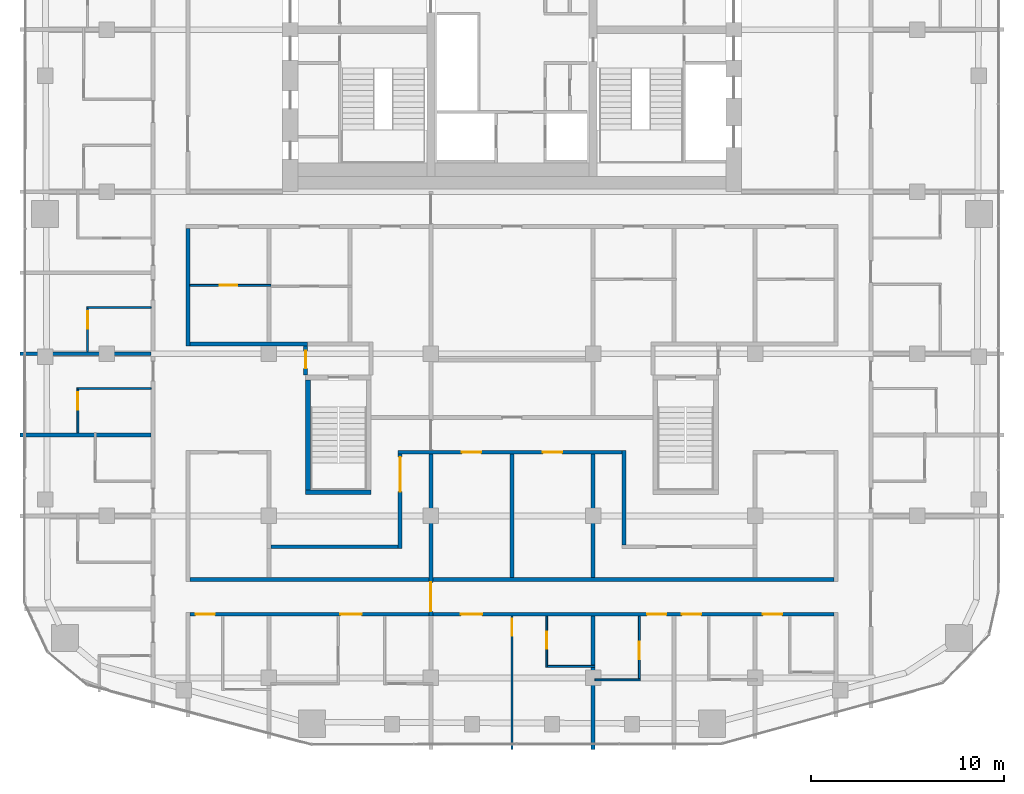
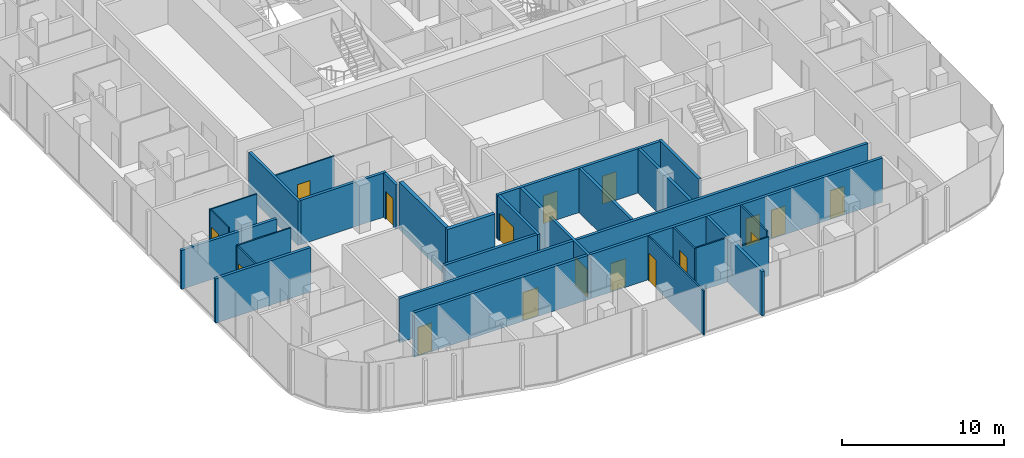
# One storey, part 14 of 22: 27 walls, 17 doors, 17 openings.
"""IFC4 building model written with IfcOpenShell, lengths in metres."""

from ifc_helpers import new_model, si_unit, direction, frame, frame_2d, origin, place, context, subcontext, project, spatial, rectangle, extrude, material, layer, layer_set, type_object, element, fill, save


model = new_model("IFC4")

# Units and contexts
model_context = context("Model", 3, precision=1e-05, world=origin(), true_north=direction((0.0, 1.0)))
body_context = subcontext(model_context, "Body", "Model", "MODEL_VIEW")
ifc_project = project(units=[si_unit("LENGTHUNIT", "METRE"), si_unit("AREAUNIT", "SQUARE_METRE"), si_unit("VOLUMEUNIT", "CUBIC_METRE"), si_unit("PLANEANGLEUNIT", "RADIAN"), si_unit("MASSUNIT", "GRAM", prefix="KILO")], contexts=[model_context])

# Site, building, storey
site_placement = place(None, origin())
site = spatial("IfcSite", under=ifc_project, at=site_placement, CompositionType="ELEMENT")
building_placement = place(site_placement, origin())
building = spatial("IfcBuilding", under=site, at=building_placement, Name="Marenta Gate Hotel Tower", CompositionType="ELEMENT")
storey_placement = place(building_placement, frame((0.0, 0.0, 223.699951171875)))
storey = spatial("IfcBuildingStorey", under=building, at=storey_placement, Name="L52", CompositionType="ELEMENT", Elevation=223.699951171875)

# Wall, opening, door
ifc_material_1 = material(Name="Concrete blockwork", Category="masonry")
ifc_layer_1 = layer(ifc_material_1, 0.199951171875)
ifc_layer_set_1 = layer_set([ifc_layer_1], Name="Concrete blockwork")
wall_type_1 = type_object("IfcWallType", Name="Compartment wall 200 REI 180", PredefinedType="PARTITIONING", material=ifc_layer_set_1)
wall_1_placement = place(storey_placement, frame((-4.199951171875, -22.0, 0.0), z_axis=(0.0, 0.0, 1.0), x_axis=(0.0, 1.0, 0.0)))
wall_1 = element("IfcWall", 1, at=wall_1_placement, inside=storey, type_object=wall_type_1, Name="L52-PTN-W081", PredefinedType="PARTITIONING", context=body_context, shape_type="SweptSolid", body=[
    extrude(rectangle(XDim=8.39990234375, YDim=0.199951171875, at=frame_2d((4.199951171875, 0.0))), origin(), (0.0, 0.0, 1.0), 3.340087890625),
])
opening_1_placement = place(wall_1_placement, frame((0.25, 0.0, 0.0)))
opening_1 = element("IfcOpeningElement", 2, at=opening_1_placement, cuts=wall_1, Name="Opening G19-FD4", PredefinedType="OPENING", context=body_context, shape_type="SweptSolid", body=[
    extrude(rectangle(XDim=1.5, YDim=2.10009765625, at=frame_2d((0.75, 1.050048828125))), frame((0.0, 0.10009765625, 0.0), z_axis=(0.0, -1.0, 0.0), x_axis=(1.0, 0.0, 0.0)), (0.0, 0.0, 1.0), 0.199951171875),
])
ifc_material_2 = material(Name="Hollow steel door set", Category="steel")
door_type_1 = type_object("IfcDoorType", Name="Compartment fire door 1500x2100 EI 60", OperationType="DOUBLE_DOOR_DOUBLE_SWING", PredefinedType="DOOR", material=ifc_material_2)
door_1_placement = place(opening_1_placement, origin())
door_1 = element("IfcDoor", 3, at=door_1_placement, inside=storey, type_object=door_type_1, Name="L52-PD-FD04", OperationType="DOUBLE_DOOR_DOUBLE_SWING", OverallHeight=2.10009765625, OverallWidth=1.5, PredefinedType="DOOR", context=body_context, shape_type="SweptSolid", body=[
    extrude(rectangle(XDim=1.5, YDim=2.10009765625, at=frame_2d((0.75, 1.050048828125))), frame((0.0, 0.02490234375, 0.0), z_axis=(0.0, -1.0, 0.0), x_axis=(1.0, 0.0, 0.0)), (0.0, 0.0, 1.0), 0.050048828125),
])
fill(opening_1, door_1)

# Walls
ifc_material_3 = material(Name="Concrete C40", Category="concrete")
ifc_layer_2 = layer(ifc_material_3, 0.25)
ifc_layer_set_2 = layer_set([ifc_layer_2], Name="Concrete C40")
wall_type_2 = type_object("IfcWallType", Name="Remote stair enclosure wall 250 REI 180", PredefinedType="SHEAR", material=ifc_layer_set_2)
wall_2_placement = place(storey_placement, frame((-10.699951171875, -15.574951171875, 0.10009765625), z_axis=(0.0, 0.0, 1.0), x_axis=(1.0, 0.0, 0.0)))
element("IfcWall", 4, at=wall_2_placement, inside=storey, type_object=wall_type_2, Name="L52-RS-Z3-1-W1", PredefinedType="SHEAR", context=body_context, shape_type="SweptSolid", body=[
    extrude(rectangle(XDim=3.39990234375, YDim=0.25, at=frame_2d((1.699951171875, 0.0))), origin(), (0.0, 0.0, 1.0), 3.599853515625),
])
wall_3_placement = place(storey_placement, frame((-10.574951171875, -15.449951171875, 0.10009765625), z_axis=(0.0, 0.0, 1.0), x_axis=(0.0, 1.0, 0.0)))
element("IfcWall", 5, at=wall_3_placement, inside=storey, type_object=wall_type_2, Name="L52-RS-Z3-1-W3", PredefinedType="SHEAR", context=body_context, shape_type="SweptSolid", body=[
    extrude(rectangle(XDim=5.699951171875, YDim=0.25, at=frame_2d((2.85009765625, 0.0))), origin(), (0.0, 0.0, 1.0), 3.599853515625),
])
ifc_material_4 = material(Name="Concrete blockwork", Category="masonry")
ifc_layer_3 = layer(ifc_material_4, 0.199951171875)
ifc_layer_set_3 = layer_set([ifc_layer_3], Name="Concrete blockwork")
wall_type_3 = type_object("IfcWallType", Name="Room corridor wall 200 EI 120", PredefinedType="PARTITIONING", material=ifc_layer_set_3)
wall_4_placement = place(storey_placement, frame((-16.699951171875, -7.89990234375, 0.0), z_axis=(0.0, 0.0, 1.0), x_axis=(1.0, 0.0, 0.0)))
element("IfcWall", 6, at=wall_4_placement, inside=storey, type_object=wall_type_3, Name="L52-PTN-W053", PredefinedType="PARTITIONING", context=body_context, shape_type="SweptSolid", body=[
    extrude(rectangle(XDim=6.099853515625, YDim=0.199951171875, at=frame_2d((3.0498046875, 0.0))), origin(), (0.0, 0.0, 1.0), 3.340087890625),
])

# Wall, openings, doors
ifc_material_5 = material(Name="Gypsum board on steel stud", Category="steel")
ifc_layer_4 = layer(ifc_material_5, 0.199951171875)
ifc_layer_set_4 = layer_set([ifc_layer_4], Name="Gypsum board on steel stud")
wall_type_4 = type_object("IfcWallType", Name="Room corridor wall 200 EI 60", PredefinedType="PARTITIONING", material=ifc_layer_set_4)
wall_5_placement = place(storey_placement, frame((-16.699951171875, -21.89990234375, 0.0), z_axis=(0.0, 0.0, 1.0), x_axis=(1.0, 0.0, 0.0)))
wall_5 = element("IfcWall", 7, at=wall_5_placement, inside=storey, type_object=wall_type_4, Name="L52-PTN-W015", PredefinedType="PARTITIONING", context=body_context, shape_type="SweptSolid", body=[
    extrude(rectangle(XDim=33.39990234375, YDim=0.199951171875, at=frame_2d((16.699951171875, 0.0))), origin(), (0.0, 0.0, 1.0), 3.340087890625),
])
opening_2_placement = place(wall_5_placement, frame((0.300048828125, 0.0, 0.0)))
opening_2 = element("IfcOpeningElement", 8, at=opening_2_placement, cuts=wall_5, Name="Opening G19-36", PredefinedType="OPENING", context=body_context, shape_type="SweptSolid", body=[
    extrude(rectangle(XDim=1.0, YDim=2.10009765625, at=frame_2d((0.5, 1.050048828125))), frame((0.0, 0.10009765625, 0.0), z_axis=(0.0, -1.0, 0.0), x_axis=(1.0, 0.0, 0.0)), (0.0, 0.0, 1.0), 0.199951171875),
])
opening_3_placement = place(wall_5_placement, frame((7.800048828125, 0.0, 0.0)))
opening_3 = element("IfcOpeningElement", 9, at=opening_3_placement, cuts=wall_5, Name="Opening G19-38", PredefinedType="OPENING", context=body_context, shape_type="SweptSolid", body=[
    extrude(rectangle(XDim=1.10009765625, YDim=2.10009765625, at=frame_2d((0.550048828125, 1.050048828125))), frame((0.0, 0.10009765625, 0.0), z_axis=(0.0, -1.0, 0.0), x_axis=(1.0, 0.0, 0.0)), (0.0, 0.0, 1.0), 0.199951171875),
])
opening_4_placement = place(wall_5_placement, frame((14.050048828125, 0.0, 0.0)))
opening_4 = element("IfcOpeningElement", 10, at=opening_4_placement, cuts=wall_5, Name="Opening G19-41", PredefinedType="OPENING", context=body_context, shape_type="SweptSolid", body=[
    extrude(rectangle(XDim=1.10009765625, YDim=2.10009765625, at=frame_2d((0.550048828125, 1.050048828125))), frame((0.0, 0.10009765625, 0.0), z_axis=(0.0, -1.0, 0.0), x_axis=(1.0, 0.0, 0.0)), (0.0, 0.0, 1.0), 0.199951171875),
])
opening_5_placement = place(wall_5_placement, frame((23.699951171875, 0.0, 0.0)))
opening_5 = element("IfcOpeningElement", 11, at=opening_5_placement, cuts=wall_5, Name="Opening G19-44", PredefinedType="OPENING", context=body_context, shape_type="SweptSolid", body=[
    extrude(rectangle(XDim=1.0, YDim=2.10009765625, at=frame_2d((0.5, 1.050048828125))), frame((0.0, 0.10009765625, 0.0), z_axis=(0.0, -1.0, 0.0), x_axis=(1.0, 0.0, 0.0)), (0.0, 0.0, 1.0), 0.199951171875),
])
opening_6_placement = place(wall_5_placement, frame((25.5, 0.0, 0.0)))
opening_6 = element("IfcOpeningElement", 12, at=opening_6_placement, cuts=wall_5, Name="Opening G19-46", PredefinedType="OPENING", context=body_context, shape_type="SweptSolid", body=[
    extrude(rectangle(XDim=1.0, YDim=2.10009765625, at=frame_2d((0.5, 1.050048828125))), frame((0.0, 0.10009765625, 0.0), z_axis=(0.0, -1.0, 0.0), x_axis=(1.0, 0.0, 0.0)), (0.0, 0.0, 1.0), 0.199951171875),
])
opening_7_placement = place(wall_5_placement, frame((29.699951171875, 0.0, 0.0)))
opening_7 = element("IfcOpeningElement", 13, at=opening_7_placement, cuts=wall_5, Name="Opening G19-48", PredefinedType="OPENING", context=body_context, shape_type="SweptSolid", body=[
    extrude(rectangle(XDim=1.0, YDim=2.10009765625, at=frame_2d((0.5, 1.050048828125))), frame((0.0, 0.10009765625, 0.0), z_axis=(0.0, -1.0, 0.0), x_axis=(1.0, 0.0, 0.0)), (0.0, 0.0, 1.0), 0.199951171875),
])
ifc_material_6 = material(Name="Timber door leaf", Category="wood")
door_type_2 = type_object("IfcDoorType", Name="Guest room door 1000x2100 EI 30", OperationType="NOTDEFINED", PredefinedType="DOOR", material=ifc_material_6)
door_2_placement = place(opening_2_placement, origin())
door_2 = element("IfcDoor", 14, at=door_2_placement, inside=storey, type_object=door_type_2, Name="L52-PD-D036", OperationType="SINGLE_SWING_RIGHT", OverallHeight=2.10009765625, OverallWidth=1.0, PredefinedType="DOOR", context=body_context, shape_type="SweptSolid", body=[
    extrude(rectangle(XDim=1.0, YDim=2.10009765625, at=frame_2d((0.5, 1.050048828125))), frame((0.0, 0.02490234375, 0.0), z_axis=(0.0, -1.0, 0.0), x_axis=(1.0, 0.0, 0.0)), (0.0, 0.0, 1.0), 0.050048828125),
])
fill(opening_2, door_2)
door_3_placement = place(opening_5_placement, origin())
door_3 = element("IfcDoor", 15, at=door_3_placement, inside=storey, type_object=door_type_2, Name="L52-PD-D044", OperationType="SINGLE_SWING_RIGHT", OverallHeight=2.10009765625, OverallWidth=1.0, PredefinedType="DOOR", context=body_context, shape_type="SweptSolid", body=[
    extrude(rectangle(XDim=1.0, YDim=2.10009765625, at=frame_2d((0.5, 1.050048828125))), frame((0.0, 0.02490234375, 0.0), z_axis=(0.0, -1.0, 0.0), x_axis=(1.0, 0.0, 0.0)), (0.0, 0.0, 1.0), 0.050048828125),
])
fill(opening_5, door_3)
door_4_placement = place(opening_6_placement, origin())
door_4 = element("IfcDoor", 16, at=door_4_placement, inside=storey, type_object=door_type_2, Name="L52-PD-D046", OperationType="SINGLE_SWING_RIGHT", OverallHeight=2.10009765625, OverallWidth=1.0, PredefinedType="DOOR", context=body_context, shape_type="SweptSolid", body=[
    extrude(rectangle(XDim=1.0, YDim=2.10009765625, at=frame_2d((0.5, 1.050048828125))), frame((0.0, 0.02490234375, 0.0), z_axis=(0.0, -1.0, 0.0), x_axis=(1.0, 0.0, 0.0)), (0.0, 0.0, 1.0), 0.050048828125),
])
fill(opening_6, door_4)
door_5_placement = place(opening_7_placement, origin())
door_5 = element("IfcDoor", 17, at=door_5_placement, inside=storey, type_object=door_type_2, Name="L52-PD-D048", OperationType="SINGLE_SWING_RIGHT", OverallHeight=2.10009765625, OverallWidth=1.0, PredefinedType="DOOR", context=body_context, shape_type="SweptSolid", body=[
    extrude(rectangle(XDim=1.0, YDim=2.10009765625, at=frame_2d((0.5, 1.050048828125))), frame((0.0, 0.02490234375, 0.0), z_axis=(0.0, -1.0, 0.0), x_axis=(1.0, 0.0, 0.0)), (0.0, 0.0, 1.0), 0.050048828125),
])
fill(opening_7, door_5)
ifc_material_7 = material(Name="Timber door leaf", Category="wood")
door_type_3 = type_object("IfcDoorType", Name="Guest room door 1100x2100 EI 30", OperationType="NOTDEFINED", PredefinedType="DOOR", material=ifc_material_7)
door_6_placement = place(opening_3_placement, origin())
door_6 = element("IfcDoor", 18, at=door_6_placement, inside=storey, type_object=door_type_3, Name="L52-PD-D038", OperationType="SINGLE_SWING_RIGHT", OverallHeight=2.10009765625, OverallWidth=1.10009765625, PredefinedType="DOOR", context=body_context, shape_type="SweptSolid", body=[
    extrude(rectangle(XDim=1.10009765625, YDim=2.10009765625, at=frame_2d((0.550048828125, 1.050048828125))), frame((0.0, 0.02490234375, 0.0), z_axis=(0.0, -1.0, 0.0), x_axis=(1.0, 0.0, 0.0)), (0.0, 0.0, 1.0), 0.050048828125),
])
fill(opening_3, door_6)
door_7_placement = place(opening_4_placement, origin())
door_7 = element("IfcDoor", 19, at=door_7_placement, inside=storey, type_object=door_type_3, Name="L52-PD-D041", OperationType="SINGLE_SWING_LEFT", OverallHeight=2.10009765625, OverallWidth=1.10009765625, PredefinedType="DOOR", context=body_context, shape_type="SweptSolid", body=[
    extrude(rectangle(XDim=1.10009765625, YDim=2.10009765625, at=frame_2d((0.550048828125, 1.050048828125))), frame((0.0, 0.02490234375, 0.0), z_axis=(0.0, -1.0, 0.0), x_axis=(1.0, 0.0, 0.0)), (0.0, 0.0, 1.0), 0.050048828125),
])
fill(opening_4, door_7)

# Walls
wall_6_placement = place(storey_placement, frame((-16.699951171875, -20.10009765625, 0.0), z_axis=(0.0, 0.0, 1.0), x_axis=(1.0, 0.0, 0.0)))
element("IfcWall", 20, at=wall_6_placement, inside=storey, type_object=wall_type_4, Name="L52-PTN-W019", PredefinedType="PARTITIONING", context=body_context, shape_type="SweptSolid", body=[
    extrude(rectangle(XDim=33.39990234375, YDim=0.199951171875, at=frame_2d((16.699951171875, 0.0))), origin(), (0.0, 0.0, 1.0), 3.340087890625),
])
wall_7_placement = place(storey_placement, frame((-12.5, -18.39990234375, 0.0), z_axis=(0.0, 0.0, 1.0), x_axis=(1.0, 0.0, 0.0)))
element("IfcWall", 21, at=wall_7_placement, inside=storey, type_object=wall_type_4, Name="L52-PTN-W022", PredefinedType="PARTITIONING", context=body_context, shape_type="SweptSolid", body=[
    extrude(rectangle(XDim=6.60009765625, YDim=0.199951171875, at=frame_2d((3.300048828125, 0.0))), origin(), (0.0, 0.0, 1.0), 3.340087890625),
])

# Wall, openings, doors
wall_8_placement = place(storey_placement, frame((-5.89990234375, -13.5, 0.0), z_axis=(0.0, 0.0, 1.0), x_axis=(1.0, 0.0, 0.0)))
wall_8 = element("IfcWall", 22, at=wall_8_placement, inside=storey, type_object=wall_type_4, Name="L52-PTN-W034", PredefinedType="PARTITIONING", context=body_context, shape_type="SweptSolid", body=[
    extrude(rectangle(XDim=11.599853515625, YDim=0.199951171875, at=frame_2d((5.7998046875, 0.0))), origin(), (0.0, 0.0, 1.0), 3.340087890625),
])
opening_8_placement = place(wall_8_placement, frame((3.300048828125, 0.0, 0.0)))
opening_8 = element("IfcOpeningElement", 23, at=opening_8_placement, cuts=wall_8, Name="Opening G19-13", PredefinedType="OPENING", context=body_context, shape_type="SweptSolid", body=[
    extrude(rectangle(XDim=1.0, YDim=2.10009765625, at=frame_2d((0.5, 1.050048828125))), frame((0.0, 0.10009765625, 0.0), z_axis=(0.0, -1.0, 0.0), x_axis=(1.0, 0.0, 0.0)), (0.0, 0.0, 1.0), 0.199951171875),
])
opening_9_placement = place(wall_8_placement, frame((7.5, 0.0, 0.0)))
opening_9 = element("IfcOpeningElement", 24, at=opening_9_placement, cuts=wall_8, Name="Opening G19-14", PredefinedType="OPENING", context=body_context, shape_type="SweptSolid", body=[
    extrude(rectangle(XDim=1.0, YDim=2.10009765625, at=frame_2d((0.5, 1.050048828125))), frame((0.0, 0.10009765625, 0.0), z_axis=(0.0, -1.0, 0.0), x_axis=(1.0, 0.0, 0.0)), (0.0, 0.0, 1.0), 0.199951171875),
])
ifc_material_8 = material(Name="Timber door leaf", Category="wood")
door_type_4 = type_object("IfcDoorType", Name="Room amenity door 1000x2100 EI 30", OperationType="NOTDEFINED", PredefinedType="DOOR", material=ifc_material_8)
door_8_placement = place(opening_8_placement, origin())
door_8 = element("IfcDoor", 25, at=door_8_placement, inside=storey, type_object=door_type_4, Name="L52-PD-D013", OperationType="SINGLE_SWING_LEFT", OverallHeight=2.10009765625, OverallWidth=1.0, PredefinedType="DOOR", context=body_context, shape_type="SweptSolid", body=[
    extrude(rectangle(XDim=1.0, YDim=2.10009765625, at=frame_2d((0.5, 1.050048828125))), frame((0.0, 0.02490234375, 0.0), z_axis=(0.0, -1.0, 0.0), x_axis=(1.0, 0.0, 0.0)), (0.0, 0.0, 1.0), 0.050048828125),
])
fill(opening_8, door_8)
door_9_placement = place(opening_9_placement, origin())
door_9 = element("IfcDoor", 26, at=door_9_placement, inside=storey, type_object=door_type_4, Name="L52-PD-D014", OperationType="SINGLE_SWING_RIGHT", OverallHeight=2.10009765625, OverallWidth=1.0, PredefinedType="DOOR", context=body_context, shape_type="SweptSolid", body=[
    extrude(rectangle(XDim=1.0, YDim=2.10009765625, at=frame_2d((0.5, 1.050048828125))), frame((0.0, 0.02490234375, 0.0), z_axis=(0.0, -1.0, 0.0), x_axis=(1.0, 0.0, 0.0)), (0.0, 0.0, 1.0), 0.050048828125),
])
fill(opening_9, door_9)

# Wall
wall_9_placement = place(storey_placement, frame((5.800048828125, -18.300048828125, 0.0), z_axis=(0.0, 0.0, 1.0), x_axis=(0.0, 1.0, 0.0)))
element("IfcWall", 27, at=wall_9_placement, inside=storey, type_object=wall_type_4, Name="L52-PTN-W060", PredefinedType="PARTITIONING", context=body_context, shape_type="SweptSolid", body=[
    extrude(rectangle(XDim=4.900146484375, YDim=0.199951171875, at=frame_2d((2.4501953125, 0.0))), origin(), (0.0, 0.0, 1.0), 3.340087890625),
])

# Wall, opening, door
wall_10_placement = place(storey_placement, frame((-5.800048828125, -18.5, 0.0), z_axis=(0.0, 0.0, 1.0), x_axis=(0.0, 1.0, 0.0)))
wall_10 = element("IfcWall", 28, at=wall_10_placement, inside=storey, type_object=wall_type_4, Name="L52-PTN-W085", PredefinedType="PARTITIONING", context=body_context, shape_type="SweptSolid", body=[
    extrude(rectangle(XDim=4.89990234375, YDim=0.199951171875, at=frame_2d((2.449951171875, 0.0))), origin(), (0.0, 0.0, 1.0), 3.340087890625),
])
opening_10_placement = place(wall_10_placement, frame((2.949951171875, 0.0, 0.0)))
opening_10 = element("IfcOpeningElement", 29, at=opening_10_placement, cuts=wall_10, Name="Opening G19-12", PredefinedType="OPENING", context=body_context, shape_type="SweptSolid", body=[
    extrude(rectangle(XDim=1.800048828125, YDim=2.10009765625, at=frame_2d((0.89990234375, 1.050048828125))), frame((0.0, 0.10009765625, 0.0), z_axis=(0.0, -1.0, 0.0), x_axis=(1.0, 0.0, 0.0)), (0.0, 0.0, 1.0), 0.199951171875),
])
ifc_material_9 = material(Name="Timber door leaf", Category="wood")
door_type_5 = type_object("IfcDoorType", Name="Room amenity door 1800x2100 EI 30", OperationType="DOUBLE_DOOR_SINGLE_SWING", PredefinedType="DOOR", material=ifc_material_9)
door_10_placement = place(opening_10_placement, origin())
door_10 = element("IfcDoor", 30, at=door_10_placement, inside=storey, type_object=door_type_5, Name="L52-PD-D012", OperationType="DOUBLE_DOOR_SINGLE_SWING", OverallHeight=2.10009765625, OverallWidth=1.800048828125, PredefinedType="DOOR", context=body_context, shape_type="SweptSolid", body=[
    extrude(rectangle(XDim=1.800048828125, YDim=2.10009765625, at=frame_2d((0.89990234375, 1.050048828125))), frame((0.0, 0.02490234375, 0.0), z_axis=(0.0, -1.0, 0.0), x_axis=(1.0, 0.0, 0.0)), (0.0, 0.0, 1.0), 0.050048828125),
])
fill(opening_10, door_10)

# Wall
wall_11_placement = place(storey_placement, frame((-16.800048828125, -8.0, 0.0), z_axis=(0.0, 0.0, 1.0), x_axis=(0.0, 1.0, 0.0)))
element("IfcWall", 31, at=wall_11_placement, inside=storey, type_object=wall_type_4, Name="L52-PTN-W106", PredefinedType="PARTITIONING", context=body_context, shape_type="SweptSolid", body=[
    extrude(rectangle(XDim=6.10009765625, YDim=0.199951171875, at=frame_2d((3.050048828125, 0.0))), origin(), (0.0, 0.0, 1.0), 3.340087890625),
])

# Wall, opening, door
ifc_material_10 = material(Name="Concrete blockwork", Category="masonry")
ifc_layer_5 = layer(ifc_material_10, 0.199951171875)
ifc_layer_set_5 = layer_set([ifc_layer_5], Name="Concrete blockwork")
wall_type_5 = type_object("IfcWallType", Name="Room corridor wall 200 REI 180", PredefinedType="PARTITIONING", material=ifc_layer_set_5)
wall_12_placement = place(storey_placement, frame((-10.699951171875, -9.5, 0.0), z_axis=(0.0, 0.0, 1.0), x_axis=(0.0, 1.0, 0.0)))
wall_12 = element("IfcWall", 32, at=wall_12_placement, inside=storey, type_object=wall_type_5, Name="L52-PTN-W092", PredefinedType="PARTITIONING", context=body_context, shape_type="SweptSolid", body=[
    extrude(rectangle(XDim=1.5, YDim=0.199951171875, at=frame_2d((0.75, 0.0))), origin(), (0.0, 0.0, 1.0), 3.340087890625),
])
opening_11_placement = place(wall_12_placement, frame((0.35009765625, 0.0, 0.0)))
opening_11 = element("IfcOpeningElement", 33, at=opening_11_placement, cuts=wall_12, Name="Opening G19-71", PredefinedType="OPENING", context=body_context, shape_type="SweptSolid", body=[
    extrude(rectangle(XDim=0.89990234375, YDim=2.10009765625, at=frame_2d((0.449951171875, 1.050048828125))), frame((0.0, 0.10009765625, 0.0), z_axis=(0.0, -1.0, 0.0), x_axis=(1.0, 0.0, 0.0)), (0.0, 0.0, 1.0), 0.199951171875),
])
ifc_material_11 = material(Name="Hollow steel door set", Category="steel")
door_type_6 = type_object("IfcDoorType", Name="Stair vestibule door 900x2100 EI 60", OperationType="NOTDEFINED", PredefinedType="DOOR", material=ifc_material_11)
door_11_placement = place(opening_11_placement, origin())
door_11 = element("IfcDoor", 34, at=door_11_placement, inside=storey, type_object=door_type_6, Name="L52-PD-D071", OperationType="SINGLE_SWING_LEFT", OverallHeight=2.10009765625, OverallWidth=0.89990234375, PredefinedType="DOOR", context=body_context, shape_type="SweptSolid", body=[
    extrude(rectangle(XDim=0.89990234375, YDim=2.10009765625, at=frame_2d((0.449951171875, 1.050048828125))), frame((0.0, 0.02490234375, 0.0), z_axis=(0.0, -1.0, 0.0), x_axis=(1.0, 0.0, 0.0)), (0.0, 0.0, 1.0), 0.050048828125),
])
fill(opening_11, door_11)

# Walls
ifc_material_12 = material(Name="Gypsum board on steel stud", Category="steel")
ifc_layer_6 = layer(ifc_material_12, 0.10009765625)
ifc_layer_set_6 = layer_set([ifc_layer_6], Name="Gypsum board on steel stud")
wall_type_6 = type_object("IfcWallType", Name="Room partition 100", PredefinedType="PARTITIONING", material=ifc_layer_set_6)
wall_13_placement = place(storey_placement, frame((4.300048828125, -25.300048828125, 0.0), z_axis=(0.0, 0.0, 1.0), x_axis=(1.0, 0.0, 0.0)))
element("IfcWall", 35, at=wall_13_placement, inside=storey, type_object=wall_type_6, Name="L52-PTN-W005", PredefinedType="PARTITIONING", context=body_context, shape_type="SweptSolid", body=[
    extrude(rectangle(XDim=2.349853515625, YDim=0.10009765625, at=frame_2d((1.1748046875, 0.0))), origin(), (0.0, 0.0, 1.0), 2.93994140625),
])
wall_14_placement = place(storey_placement, frame((1.85009765625, -24.60009765625, 0.0), z_axis=(0.0, 0.0, 1.0), x_axis=(1.0, 0.0, 0.0)))
element("IfcWall", 36, at=wall_14_placement, inside=storey, type_object=wall_type_6, Name="L52-PTN-W008", PredefinedType="PARTITIONING", context=body_context, shape_type="SweptSolid", body=[
    extrude(rectangle(XDim=2.449951171875, YDim=0.10009765625, at=frame_2d((1.22509765625, 0.0))), origin(), (0.0, 0.0, 1.0), 3.340087890625),
])
wall_15_placement = place(storey_placement, frame((-22.550048828125, -10.199951171875, 0.0), z_axis=(0.0, 0.0, 1.0), x_axis=(1.0, 0.0, 0.0)))
element("IfcWall", 37, at=wall_15_placement, inside=storey, type_object=wall_type_6, Name="L52-PTN-W046", PredefinedType="PARTITIONING", context=body_context, shape_type="SweptSolid", body=[
    extrude(rectangle(XDim=3.85009765625, YDim=0.10009765625, at=frame_2d((1.925048828125, 0.0))), origin(), (0.0, 0.0, 1.0), 3.340087890625),
])

# Wall, opening, door
wall_16_placement = place(storey_placement, frame((6.60009765625, -25.25, 0.0), z_axis=(0.0, 0.0, 1.0), x_axis=(0.0, 1.0, 0.0)))
wall_16 = element("IfcWall", 38, at=wall_16_placement, inside=storey, type_object=wall_type_6, Name="L52-PTN-W058", PredefinedType="PARTITIONING", context=body_context, shape_type="SweptSolid", body=[
    extrude(rectangle(XDim=3.25, YDim=0.10009765625, at=frame_2d((1.625, 0.0))), origin(), (0.0, 0.0, 1.0), 3.340087890625),
])
opening_12_placement = place(wall_16_placement, frame((1.030029296875, 0.0, 0.0)))
opening_12 = element("IfcOpeningElement", 39, at=opening_12_placement, cuts=wall_16, Name="Opening G19-45", PredefinedType="OPENING", context=body_context, shape_type="SweptSolid", body=[
    extrude(rectangle(XDim=0.89990234375, YDim=2.10009765625, at=frame_2d((0.449951171875, 1.050048828125))), frame((0.0, 0.050048828125, 0.0), z_axis=(0.0, -1.0, 0.0), x_axis=(1.0, 0.0, 0.0)), (0.0, 0.0, 1.0), 0.10009765625),
])
ifc_material_13 = material(Name="Timber door leaf", Category="wood")
door_type_7 = type_object("IfcDoorType", Name="Guest bathroom door 900x2100", OperationType="NOTDEFINED", PredefinedType="DOOR", material=ifc_material_13)
door_12_placement = place(opening_12_placement, origin())
door_12 = element("IfcDoor", 40, at=door_12_placement, inside=storey, type_object=door_type_7, Name="L52-PD-D045", OperationType="SINGLE_SWING_LEFT", OverallHeight=2.10009765625, OverallWidth=0.89990234375, PredefinedType="DOOR", context=body_context, shape_type="SweptSolid", body=[
    extrude(rectangle(XDim=0.89990234375, YDim=2.10009765625, at=frame_2d((0.449951171875, 1.050048828125))), frame((0.0, 0.02490234375, 0.0), z_axis=(0.0, -1.0, 0.0), x_axis=(1.0, 0.0, 0.0)), (0.0, 0.0, 1.0), 0.050048828125),
])
fill(opening_12, door_12)

# Wall
wall_17_placement = place(storey_placement, frame((-22.050048828125, -6.0, 0.0), z_axis=(0.0, 0.0, 1.0), x_axis=(1.0, 0.0, 0.0)))
element("IfcWall", 41, at=wall_17_placement, inside=storey, type_object=wall_type_6, Name="L52-PTN-W059", PredefinedType="PARTITIONING", context=body_context, shape_type="SweptSolid", body=[
    extrude(rectangle(XDim=3.35009765625, YDim=0.10009765625, at=frame_2d((1.675048828125, 0.0))), origin(), (0.0, 0.0, 1.0), 3.340087890625),
])

# Wall, opening, door
wall_18_placement = place(storey_placement, frame((-16.699951171875, -4.85009765625, 0.0), z_axis=(0.0, 0.0, 1.0), x_axis=(1.0, 0.0, 0.0)))
wall_18 = element("IfcWall", 42, at=wall_18_placement, inside=storey, type_object=wall_type_6, Name="L52-PTN-W062", PredefinedType="PARTITIONING", context=body_context, shape_type="SweptSolid", body=[
    extrude(rectangle(XDim=4.199951171875, YDim=0.10009765625, at=frame_2d((2.10009765625, 0.0))), origin(), (0.0, 0.0, 1.0), 3.340087890625),
])
opening_13_placement = place(wall_18_placement, frame((1.550048828125, 0.0, 0.0)))
opening_13 = element("IfcOpeningElement", 43, at=opening_13_placement, cuts=wall_18, Name="Opening G19-02", PredefinedType="OPENING", context=body_context, shape_type="SweptSolid", body=[
    extrude(rectangle(XDim=0.89990234375, YDim=2.10009765625, at=frame_2d((0.449951171875, 1.050048828125))), frame((0.0, 0.050048828125, 0.0), z_axis=(0.0, -1.0, 0.0), x_axis=(1.0, 0.0, 0.0)), (0.0, 0.0, 1.0), 0.10009765625),
])
ifc_material_14 = material(Name="Timber door leaf", Category="wood")
door_type_8 = type_object("IfcDoorType", Name="Room inner door 900x2100", OperationType="NOTDEFINED", PredefinedType="DOOR", material=ifc_material_14)
door_13_placement = place(opening_13_placement, origin())
door_13 = element("IfcDoor", 44, at=door_13_placement, inside=storey, type_object=door_type_8, Name="L52-PD-D002", OperationType="SINGLE_SWING_RIGHT", OverallHeight=2.10009765625, OverallWidth=0.89990234375, PredefinedType="DOOR", context=body_context, shape_type="SweptSolid", body=[
    extrude(rectangle(XDim=0.89990234375, YDim=2.10009765625, at=frame_2d((0.449951171875, 1.050048828125))), frame((0.0, 0.02490234375, 0.0), z_axis=(0.0, -1.0, 0.0), x_axis=(1.0, 0.0, 0.0)), (0.0, 0.0, 1.0), 0.050048828125),
])
fill(opening_13, door_13)

wall_19_placement = place(storey_placement, frame((1.800048828125, -24.64990234375, 0.0), z_axis=(0.0, 0.0, 1.0), x_axis=(0.0, 1.0, 0.0)))
wall_19 = element("IfcWall", 45, at=wall_19_placement, inside=storey, type_object=wall_type_6, Name="L52-PTN-W073", PredefinedType="PARTITIONING", context=body_context, shape_type="SweptSolid", body=[
    extrude(rectangle(XDim=2.64990234375, YDim=0.10009765625, at=frame_2d((1.324951171875, 0.0))), origin(), (0.0, 0.0, 1.0), 3.340087890625),
])
opening_14_placement = place(wall_19_placement, frame((0.949951171875, 0.0, 0.0)))
opening_14 = element("IfcOpeningElement", 46, at=opening_14_placement, cuts=wall_19, Name="Opening G19-43", PredefinedType="OPENING", context=body_context, shape_type="SweptSolid", body=[
    extrude(rectangle(XDim=0.89990234375, YDim=2.10009765625, at=frame_2d((0.449951171875, 1.050048828125))), frame((0.0, 0.050048828125, 0.0), z_axis=(0.0, -1.0, 0.0), x_axis=(1.0, 0.0, 0.0)), (0.0, 0.0, 1.0), 0.10009765625),
])
door_14_placement = place(opening_14_placement, origin())
door_14 = element("IfcDoor", 47, at=door_14_placement, inside=storey, type_object=door_type_7, Name="L52-PD-D043", OperationType="SINGLE_SWING_LEFT", OverallHeight=2.10009765625, OverallWidth=0.89990234375, PredefinedType="DOOR", context=body_context, shape_type="SweptSolid", body=[
    extrude(rectangle(XDim=0.89990234375, YDim=2.10009765625, at=frame_2d((0.449951171875, 1.050048828125))), frame((0.0, 0.02490234375, 0.0), z_axis=(0.0, -1.0, 0.0), x_axis=(1.0, 0.0, 0.0)), (0.0, 0.0, 1.0), 0.050048828125),
])
fill(opening_14, door_14)

wall_20_placement = place(storey_placement, frame((0.0, -28.89990234375, 0.0), z_axis=(0.0, 0.0, 1.0), x_axis=(0.0, 1.0, 0.0)))
wall_20 = element("IfcWall", 48, at=wall_20_placement, inside=storey, type_object=wall_type_6, Name="L52-PTN-W075", PredefinedType="PARTITIONING", context=body_context, shape_type="SweptSolid", body=[
    extrude(rectangle(XDim=6.89990234375, YDim=0.10009765625, at=frame_2d((3.449951171875, 0.0))), origin(), (0.0, 0.0, 1.0), 3.340087890625),
])
opening_15_placement = place(wall_20_placement, frame((5.8798828125, 0.0, 0.0)))
opening_15 = element("IfcOpeningElement", 49, at=opening_15_placement, cuts=wall_20, Name="Opening G19-42", PredefinedType="OPENING", context=body_context, shape_type="SweptSolid", body=[
    extrude(rectangle(XDim=0.89990234375, YDim=2.10009765625, at=frame_2d((0.449951171875, 1.050048828125))), frame((0.0, 0.050048828125, 0.0), z_axis=(0.0, -1.0, 0.0), x_axis=(1.0, 0.0, 0.0)), (0.0, 0.0, 1.0), 0.10009765625),
])
door_15_placement = place(opening_15_placement, origin())
door_15 = element("IfcDoor", 50, at=door_15_placement, inside=storey, type_object=door_type_8, Name="L52-PD-D042", OperationType="SINGLE_SWING_LEFT", OverallHeight=2.10009765625, OverallWidth=0.89990234375, PredefinedType="DOOR", context=body_context, shape_type="SweptSolid", body=[
    extrude(rectangle(XDim=0.89990234375, YDim=2.10009765625, at=frame_2d((0.449951171875, 1.050048828125))), frame((0.0, 0.02490234375, 0.0), z_axis=(0.0, -1.0, 0.0), x_axis=(1.0, 0.0, 0.0)), (0.0, 0.0, 1.0), 0.050048828125),
])
fill(opening_15, door_15)

wall_21_placement = place(storey_placement, frame((-22.0, -8.300048828125, 0.0), z_axis=(0.0, 0.0, 1.0), x_axis=(0.0, 1.0, 0.0)))
wall_21 = element("IfcWall", 51, at=wall_21_placement, inside=storey, type_object=wall_type_6, Name="L52-PTN-W117", PredefinedType="PARTITIONING", context=body_context, shape_type="SweptSolid", body=[
    extrude(rectangle(XDim=2.25, YDim=0.10009765625, at=frame_2d((1.125, 0.0))), origin(), (0.0, 0.0, 1.0), 3.340087890625),
])
opening_16_placement = place(wall_21_placement, frame((1.199951171875, 0.0, 0.0)))
opening_16 = element("IfcOpeningElement", 52, at=opening_16_placement, cuts=wall_21, Name="Opening G19-59", PredefinedType="OPENING", context=body_context, shape_type="SweptSolid", body=[
    extrude(rectangle(XDim=0.89990234375, YDim=2.10009765625, at=frame_2d((0.449951171875, 1.050048828125))), frame((0.0, 0.050048828125, 0.0), z_axis=(0.0, -1.0, 0.0), x_axis=(1.0, 0.0, 0.0)), (0.0, 0.0, 1.0), 0.10009765625),
])
door_16_placement = place(opening_16_placement, origin())
door_16 = element("IfcDoor", 53, at=door_16_placement, inside=storey, type_object=door_type_7, Name="L52-PD-D059", OperationType="SINGLE_SWING_LEFT", OverallHeight=2.10009765625, OverallWidth=0.89990234375, PredefinedType="DOOR", context=body_context, shape_type="SweptSolid", body=[
    extrude(rectangle(XDim=0.89990234375, YDim=2.10009765625, at=frame_2d((0.449951171875, 1.050048828125))), frame((0.0, 0.02490234375, 0.0), z_axis=(0.0, -1.0, 0.0), x_axis=(1.0, 0.0, 0.0)), (0.0, 0.0, 1.0), 0.050048828125),
])
fill(opening_16, door_16)

wall_22_placement = place(storey_placement, frame((-22.5, -12.5, 0.0), z_axis=(0.0, 0.0, 1.0), x_axis=(0.0, 1.0, 0.0)))
wall_22 = element("IfcWall", 54, at=wall_22_placement, inside=storey, type_object=wall_type_6, Name="L52-PTN-W122", PredefinedType="PARTITIONING", context=body_context, shape_type="SweptSolid", body=[
    extrude(rectangle(XDim=2.25, YDim=0.10009765625, at=frame_2d((1.125, 0.0))), origin(), (0.0, 0.0, 1.0), 3.340087890625),
])
opening_17_placement = place(wall_22_placement, frame((1.199951171875, 0.0, 0.0)))
opening_17 = element("IfcOpeningElement", 55, at=opening_17_placement, cuts=wall_22, Name="Opening G19-57", PredefinedType="OPENING", context=body_context, shape_type="SweptSolid", body=[
    extrude(rectangle(XDim=0.89990234375, YDim=2.10009765625, at=frame_2d((0.449951171875, 1.050048828125))), frame((0.0, 0.050048828125, 0.0), z_axis=(0.0, -1.0, 0.0), x_axis=(1.0, 0.0, 0.0)), (0.0, 0.0, 1.0), 0.10009765625),
])
door_17_placement = place(opening_17_placement, origin())
door_17 = element("IfcDoor", 56, at=door_17_placement, inside=storey, type_object=door_type_7, Name="L52-PD-D057", OperationType="SINGLE_SWING_LEFT", OverallHeight=2.10009765625, OverallWidth=0.89990234375, PredefinedType="DOOR", context=body_context, shape_type="SweptSolid", body=[
    extrude(rectangle(XDim=0.89990234375, YDim=2.10009765625, at=frame_2d((0.449951171875, 1.050048828125))), frame((0.0, 0.02490234375, 0.0), z_axis=(0.0, -1.0, 0.0), x_axis=(1.0, 0.0, 0.0)), (0.0, 0.0, 1.0), 0.050048828125),
])
fill(opening_17, door_17)

# Walls
ifc_material_15 = material(Name="Gypsum board on steel stud", Category="steel")
ifc_layer_7 = layer(ifc_material_15, 0.199951171875)
ifc_layer_set_7 = layer_set([ifc_layer_7], Name="Gypsum board on steel stud")
wall_type_7 = type_object("IfcWallType", Name="Room party wall 200 EI 60", PredefinedType="PARTITIONING", material=ifc_layer_set_7)
wall_23_placement = place(storey_placement, frame((-25.5, -12.60009765625, 0.0), z_axis=(0.0, 0.0, 1.0), x_axis=(1.0, 0.0, 0.0)))
element("IfcWall", 57, at=wall_23_placement, inside=storey, type_object=wall_type_7, Name="L52-PTN-W041", PredefinedType="PARTITIONING", context=body_context, shape_type="SweptSolid", body=[
    extrude(rectangle(XDim=6.800048828125, YDim=0.199951171875, at=frame_2d((3.39990234375, 0.0))), origin(), (0.0, 0.0, 1.0), 3.340087890625),
])
wall_24_placement = place(storey_placement, frame((-25.5, -8.39990234375, 0.0), z_axis=(0.0, 0.0, 1.0), x_axis=(1.0, 0.0, 0.0)))
element("IfcWall", 58, at=wall_24_placement, inside=storey, type_object=wall_type_7, Name="L52-PTN-W051", PredefinedType="PARTITIONING", context=body_context, shape_type="SweptSolid", body=[
    extrude(rectangle(XDim=6.800048828125, YDim=0.199951171875, at=frame_2d((3.39990234375, 0.0))), origin(), (0.0, 0.0, 1.0), 2.93994140625),
])
wall_25_placement = place(storey_placement, frame((4.199951171875, -28.89990234375, 0.0), z_axis=(0.0, 0.0, 1.0), x_axis=(0.0, 1.0, 0.0)))
element("IfcWall", 59, at=wall_25_placement, inside=storey, type_object=wall_type_7, Name="L52-PTN-W066", PredefinedType="PARTITIONING", context=body_context, shape_type="SweptSolid", body=[
    extrude(rectangle(XDim=6.89990234375, YDim=0.199951171875, at=frame_2d((3.449951171875, 0.0))), origin(), (0.0, 0.0, 1.0), 3.340087890625),
])
for number, where, z_axis, x_axis, name in (
    (60, (4.199951171875, -20.0, 0.0), (0.0, 0.0, 1.0), (0.0, 1.0, 0.0), "L52-PTN-W067"),
    (61, (0.0, -20.0, 0.0), (0.0, 0.0, 1.0), (0.0, 1.0, 0.0), "L52-PTN-W076"),
):
    element("IfcWall", number, at=place(storey_placement, frame(where, z_axis=z_axis, x_axis=x_axis)), inside=storey, type_object=wall_type_7, Name=name, PredefinedType="PARTITIONING", context=body_context, shape_type="SweptSolid", body=[
        extrude(rectangle(XDim=6.39990234375, YDim=0.199951171875, at=frame_2d((3.199951171875, 0.0))), origin(), (0.0, 0.0, 1.0), 3.340087890625),
    ])

save(model, "model.ifc")
